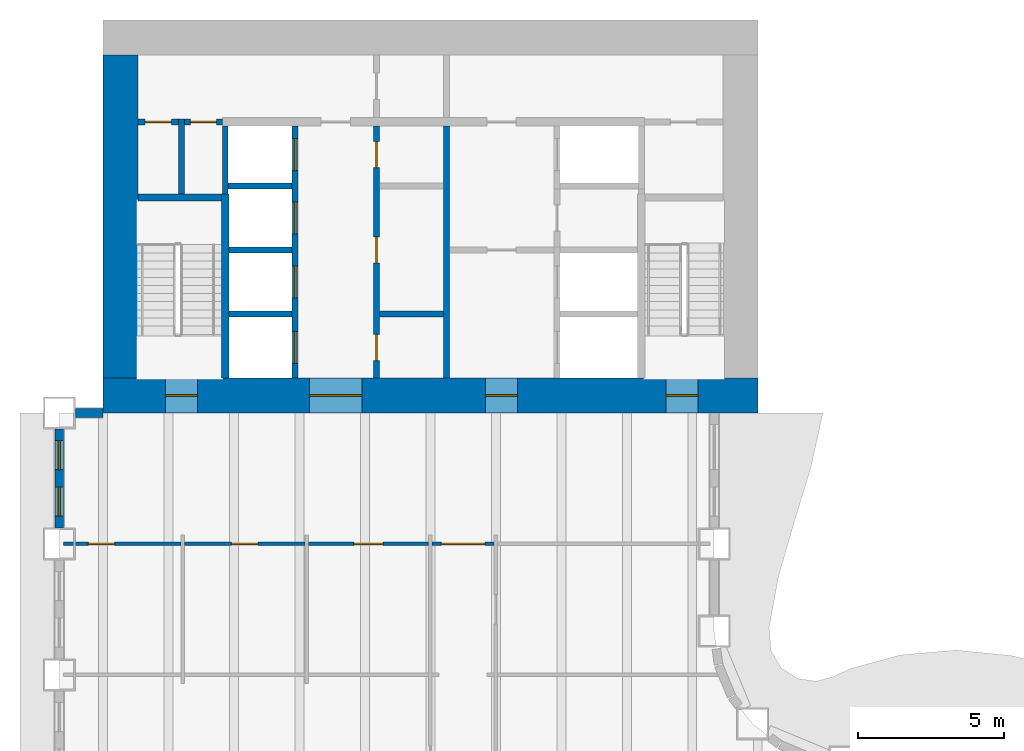
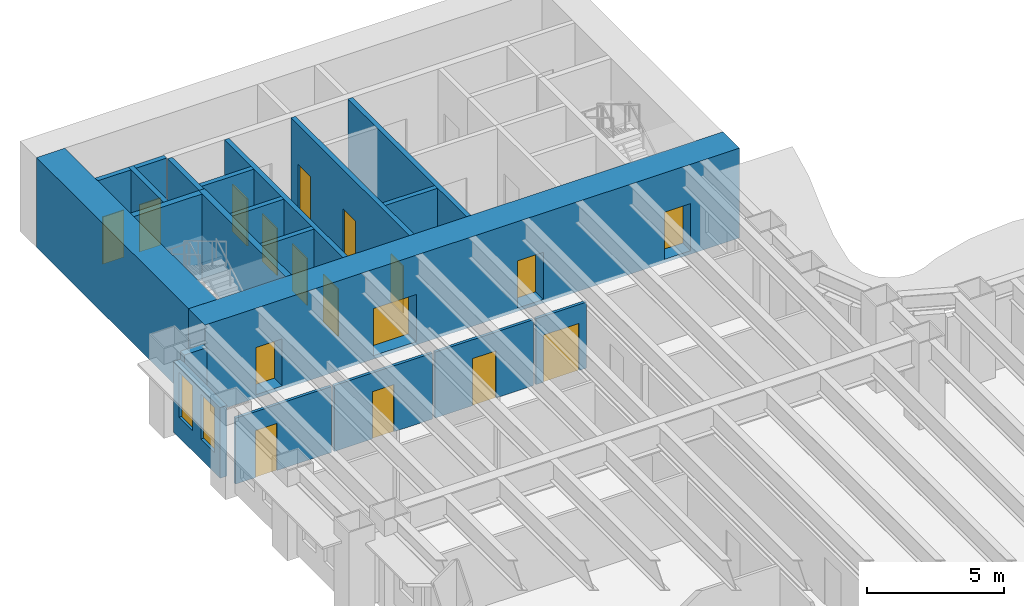
# One storey, part 8 of 17: 21 walls, 17 doors, 2 windows, 19 openings.
"""IFC4 building model written with IfcOpenShell, lengths in metres."""

from ifc_helpers import new_model, si_unit, direction, frame, frame_2d, origin, place, context, subcontext, project, spatial, rectangle, extrude, material, layer, layer_set, type_object, element, fill, save


model = new_model("IFC4")

# Units and contexts
model_context = context("Model", 3, precision=1e-05, world=origin(), true_north=direction((0.0, 1.0)))
body_context = subcontext(model_context, "Body", "Model", "MODEL_VIEW")
ifc_project = project(units=[si_unit("LENGTHUNIT", "METRE"), si_unit("AREAUNIT", "SQUARE_METRE"), si_unit("VOLUMEUNIT", "CUBIC_METRE"), si_unit("PLANEANGLEUNIT", "RADIAN"), si_unit("MASSUNIT", "GRAM", prefix="KILO")], contexts=[model_context])

# Site, building, storey
site_placement = place(None, origin())
site = spatial("IfcSite", under=ifc_project, at=site_placement, CompositionType="ELEMENT")
building_placement = place(site_placement, origin())
building = spatial("IfcBuilding", under=site, at=building_placement, Name="Sennacour Bend Tower", CompositionType="ELEMENT")
storey_placement = place(building_placement, frame((0.0, 0.0, 49.0)))
storey = spatial("IfcBuildingStorey", under=building, at=storey_placement, Name="L10", CompositionType="ELEMENT", Elevation=49.0)

# Wall, openings, doors
ifc_material_1 = material(Name="Concrete C80/95", Category="concrete")
ifc_layer_1 = layer(ifc_material_1, 1.199951171875, Name="Concrete C80/95", Category="concrete")
ifc_layer_set_1 = layer_set([ifc_layer_1], Name="Concrete C80/95")
wall_type_1 = type_object("IfcWallType", Name="Core wall 1200 C80/95", PredefinedType="SHEAR", material=ifc_layer_set_1)
wall_1_placement = place(storey_placement, frame((0.0, 36.60009765625, -0.14990234375), z_axis=(0.0, 0.0, 1.0), x_axis=(1.0, 0.0, 0.0)))
wall_1 = element("IfcWall", 1, at=wall_1_placement, inside=storey, type_object=wall_type_1, Name="Core B wall L10 S", PredefinedType="SHEAR", context=body_context, shape_type="SweptSolid", body=[
    extrude(rectangle(XDim=22.5, YDim=1.199951171875, at=frame_2d((11.25, 0.0))), origin(), (0.0, 0.0, 1.0), 4.0),
])
opening_1_placement = place(wall_1_placement, frame((7.10009765625, 0.0, 0.14990234375)))
opening_1 = element("IfcOpeningElement", 2, at=opening_1_placement, cuts=wall_1, Name="Opening CD", PredefinedType="OPENING", context=body_context, shape_type="SweptSolid", body=[
    extrude(rectangle(XDim=1.800048828125, YDim=2.10009765625, at=frame_2d((0.89990234375, 1.050048828125))), frame((0.0, 0.60986328125, 0.0), z_axis=(0.0, -1.0, 0.0), x_axis=(1.0, 0.0, 0.0)), (0.0, 0.0, 1.0), 1.219970703125),
])
opening_2_placement = place(wall_1_placement, frame((13.14990234375, 0.0, 0.14990234375)))
opening_2 = element("IfcOpeningElement", 3, at=opening_2_placement, cuts=wall_1, Name="Opening FD", PredefinedType="OPENING", context=body_context, shape_type="SweptSolid", body=[
    extrude(rectangle(XDim=1.10009765625, YDim=2.10009765625, at=frame_2d((0.550048828125, 1.050048828125))), frame((0.0, 0.60986328125, 0.0), z_axis=(0.0, -1.0, 0.0), x_axis=(1.0, 0.0, 0.0)), (0.0, 0.0, 1.0), 1.219970703125),
])
opening_3_placement = place(wall_1_placement, frame((2.14990234375, 0.0, 0.14990234375)))
opening_3 = element("IfcOpeningElement", 4, at=opening_3_placement, cuts=wall_1, Name="Opening SD", PredefinedType="OPENING", context=body_context, shape_type="SweptSolid", body=[
    extrude(rectangle(XDim=1.10009765625, YDim=2.10009765625, at=frame_2d((0.550048828125, 1.050048828125))), frame((0.0, 0.60986328125, 0.0), z_axis=(0.0, -1.0, 0.0), x_axis=(1.0, 0.0, 0.0)), (0.0, 0.0, 1.0), 1.219970703125),
])
opening_4_placement = place(wall_1_placement, frame((19.35009765625, 0.0, 0.14990234375)))
opening_4 = element("IfcOpeningElement", 5, at=opening_4_placement, cuts=wall_1, Name="Opening SD", PredefinedType="OPENING", context=body_context, shape_type="SweptSolid", body=[
    extrude(rectangle(XDim=1.10009765625, YDim=2.10009765625, at=frame_2d((0.550048828125, 1.050048828125))), frame((0.0, 0.60986328125, 0.0), z_axis=(0.0, -1.0, 0.0), x_axis=(1.0, 0.0, 0.0)), (0.0, 0.0, 1.0), 1.219970703125),
])
ifc_material_2 = material(Name="Painted steel", Category="steel")
door_type_1 = type_object("IfcDoorType", Name="DR-FFL-1100", OperationType="NOTDEFINED", PredefinedType="DOOR", material=ifc_material_2)
door_1_placement = place(opening_2_placement, origin())
door_1 = element("IfcDoor", 6, at=door_1_placement, inside=storey, type_object=door_type_1, Name="Door", OperationType="SINGLE_SWING_RIGHT", OverallHeight=2.10009765625, OverallWidth=1.10009765625, PredefinedType="DOOR", context=body_context, shape_type="SweptSolid", body=[
    extrude(rectangle(XDim=1.10009765625, YDim=2.10009765625, at=frame_2d((0.550048828125, 1.050048828125))), frame((0.0, 0.02490234375, 0.0), z_axis=(0.0, -1.0, 0.0), x_axis=(1.0, 0.0, 0.0)), (0.0, 0.0, 1.0), 0.050048828125),
])
fill(opening_2, door_1)
door_type_2 = type_object("IfcDoorType", Name="DR-LOBBY-1800", OperationType="NOTDEFINED", PredefinedType="DOOR", material=ifc_material_2)
door_2_placement = place(opening_1_placement, origin())
door_2 = element("IfcDoor", 7, at=door_2_placement, inside=storey, type_object=door_type_2, Name="Door", OperationType="DOUBLE_DOOR_SINGLE_SWING", OverallHeight=2.10009765625, OverallWidth=1.800048828125, PredefinedType="DOOR", context=body_context, shape_type="SweptSolid", body=[
    extrude(rectangle(XDim=1.800048828125, YDim=2.10009765625, at=frame_2d((0.89990234375, 1.050048828125))), frame((0.0, 0.02490234375, 0.0), z_axis=(0.0, -1.0, 0.0), x_axis=(1.0, 0.0, 0.0)), (0.0, 0.0, 1.0), 0.050048828125),
])
fill(opening_1, door_2)
door_type_3 = type_object("IfcDoorType", Name="DR-STAIR-1100", OperationType="NOTDEFINED", PredefinedType="DOOR", material=ifc_material_2)
door_3_placement = place(opening_3_placement, origin())
door_3 = element("IfcDoor", 8, at=door_3_placement, inside=storey, type_object=door_type_3, Name="Door", OperationType="SINGLE_SWING_LEFT", OverallHeight=2.10009765625, OverallWidth=1.10009765625, PredefinedType="DOOR", context=body_context, shape_type="SweptSolid", body=[
    extrude(rectangle(XDim=1.10009765625, YDim=2.10009765625, at=frame_2d((0.550048828125, 1.050048828125))), frame((0.0, 0.02490234375, 0.0), z_axis=(0.0, -1.0, 0.0), x_axis=(1.0, 0.0, 0.0)), (0.0, 0.0, 1.0), 0.050048828125),
])
fill(opening_3, door_3)
door_4_placement = place(opening_4_placement, origin())
door_4 = element("IfcDoor", 9, at=door_4_placement, inside=storey, type_object=door_type_3, Name="Door", OperationType="SINGLE_SWING_RIGHT", OverallHeight=2.10009765625, OverallWidth=1.10009765625, PredefinedType="DOOR", context=body_context, shape_type="SweptSolid", body=[
    extrude(rectangle(XDim=1.10009765625, YDim=2.10009765625, at=frame_2d((0.550048828125, 1.050048828125))), frame((0.0, 0.02490234375, 0.0), z_axis=(0.0, -1.0, 0.0), x_axis=(1.0, 0.0, 0.0)), (0.0, 0.0, 1.0), 0.050048828125),
])
fill(opening_4, door_4)

# Wall
wall_2_placement = place(storey_placement, frame((0.60009765625, 37.199951171875, -0.14990234375), z_axis=(0.0, 0.0, 1.0), x_axis=(0.0, 1.0, 0.0)))
element("IfcWall", 10, at=wall_2_placement, inside=storey, type_object=wall_type_1, Name="Core B wall L10 W", PredefinedType="SHEAR", context=body_context, shape_type="SweptSolid", body=[
    extrude(rectangle(XDim=11.10009765625, YDim=1.199951171875, at=frame_2d((5.550048828125, 0.0))), origin(), (0.0, 0.0, 1.0), 4.0),
])

# Wall, opening, door
ifc_material_3 = material(Name="Plasterboard partition on steel studs", Category="steel")
ifc_layer_2 = layer(ifc_material_3, 0.1201171875, Name="Plasterboard partition on steel studs", Category="steel")
ifc_layer_set_2 = layer_set([ifc_layer_2], Name="Plasterboard partition on steel studs")
wall_type_2 = type_object("IfcWallType", Name="Partition 120", PredefinedType="PARTITIONING", material=ifc_layer_set_2)
wall_3_placement = place(storey_placement, frame((-1.35009765625, 31.5, 0.0), z_axis=(0.0, 0.0, 1.0), x_axis=(1.0, 0.0, 0.0)))
wall_3 = element("IfcWall", 11, at=wall_3_placement, inside=storey, type_object=wall_type_2, Name="P-L10-W077aa", PredefinedType="PARTITIONING", context=body_context, shape_type="SweptSolid", body=[
    extrude(rectangle(XDim=4.0400390625, YDim=0.1201171875, at=frame_2d((2.02001953125, 0.0))), origin(), (0.0, 0.0, 1.0), 2.93798828125),
])
opening_5_placement = place(wall_3_placement, frame((0.85009765625, 0.0, 0.0)))
opening_5 = element("IfcOpeningElement", 12, at=opening_5_placement, cuts=wall_3, Name="Opening WD", PredefinedType="OPENING", context=body_context, shape_type="SweptSolid", body=[
    extrude(rectangle(XDim=0.89990234375, YDim=2.10009765625, at=frame_2d((0.449951171875, 1.050048828125))), frame((0.0, 0.070068359375, 0.0), z_axis=(0.0, -1.0, 0.0), x_axis=(1.0, 0.0, 0.0)), (0.0, 0.0, 1.0), 0.14013671875),
])
ifc_material_4 = material(Name="Timber", Category="wood")
door_type_4 = type_object("IfcDoorType", Name="DR-WC-900", OperationType="NOTDEFINED", PredefinedType="DOOR", material=ifc_material_4)
door_5_placement = place(opening_5_placement, origin())
door_5 = element("IfcDoor", 13, at=door_5_placement, inside=storey, type_object=door_type_4, Name="Door", OperationType="SINGLE_SWING_LEFT", OverallHeight=2.10009765625, OverallWidth=0.89990234375, PredefinedType="DOOR", context=body_context, shape_type="SweptSolid", body=[
    extrude(rectangle(XDim=0.89990234375, YDim=2.10009765625, at=frame_2d((0.449951171875, 1.050048828125))), frame((0.0, 0.02490234375, 0.0), z_axis=(0.0, -1.0, 0.0), x_axis=(1.0, 0.0, 0.0)), (0.0, 0.0, 1.0), 0.050048828125),
])
fill(opening_5, door_5)

wall_4_placement = place(storey_placement, frame((2.81005859375, 31.5, 0.0), z_axis=(0.0, 0.0, 1.0), x_axis=(1.0, 0.0, 0.0)))
wall_4 = element("IfcWall", 14, at=wall_4_placement, inside=storey, type_object=wall_type_2, Name="P-L10-W077ab", PredefinedType="PARTITIONING", context=body_context, shape_type="SweptSolid", body=[
    extrude(rectangle(XDim=4.1298828125, YDim=0.1201171875, at=frame_2d((2.06494140625, 0.0))), origin(), (0.0, 0.0, 1.0), 2.93798828125),
])
opening_6_placement = place(wall_4_placement, frame((1.614990234375, 0.0, 0.0)))
opening_6 = element("IfcOpeningElement", 15, at=opening_6_placement, cuts=wall_4, Name="Opening WD", PredefinedType="OPENING", context=body_context, shape_type="SweptSolid", body=[
    extrude(rectangle(XDim=0.89990234375, YDim=2.10009765625, at=frame_2d((0.449951171875, 1.050048828125))), frame((0.0, 0.070068359375, 0.0), z_axis=(0.0, -1.0, 0.0), x_axis=(1.0, 0.0, 0.0)), (0.0, 0.0, 1.0), 0.14013671875),
])
door_6_placement = place(opening_6_placement, origin())
door_6 = element("IfcDoor", 16, at=door_6_placement, inside=storey, type_object=door_type_4, Name="Door", OperationType="SINGLE_SWING_LEFT", OverallHeight=2.10009765625, OverallWidth=0.89990234375, PredefinedType="DOOR", context=body_context, shape_type="SweptSolid", body=[
    extrude(rectangle(XDim=0.89990234375, YDim=2.10009765625, at=frame_2d((0.449951171875, 1.050048828125))), frame((0.0, 0.02490234375, 0.0), z_axis=(0.0, -1.0, 0.0), x_axis=(1.0, 0.0, 0.0)), (0.0, 0.0, 1.0), 0.050048828125),
])
fill(opening_6, door_6)

wall_5_placement = place(storey_placement, frame((7.06005859375, 31.5, 0.0), z_axis=(0.0, 0.0, 1.0), x_axis=(1.0, 0.0, 0.0)))
wall_5 = element("IfcWall", 17, at=wall_5_placement, inside=storey, type_object=wall_type_2, Name="P-L10-W077ac", PredefinedType="PARTITIONING", context=body_context, shape_type="SweptSolid", body=[
    extrude(rectangle(XDim=4.1298828125, YDim=0.1201171875, at=frame_2d((2.06494140625, 0.0))), origin(), (0.0, 0.0, 1.0), 2.93798828125),
])
opening_7_placement = place(wall_5_placement, frame((1.56494140625, 0.0, 0.0)))
opening_7 = element("IfcOpeningElement", 18, at=opening_7_placement, cuts=wall_5, Name="Opening AD", PredefinedType="OPENING", context=body_context, shape_type="SweptSolid", body=[
    extrude(rectangle(XDim=1.0, YDim=2.10009765625, at=frame_2d((0.5, 1.050048828125))), frame((0.0, 0.070068359375, 0.0), z_axis=(0.0, -1.0, 0.0), x_axis=(1.0, 0.0, 0.0)), (0.0, 0.0, 1.0), 0.14013671875),
])
door_type_5 = type_object("IfcDoorType", Name="DR-ACC-WC-1000", OperationType="NOTDEFINED", PredefinedType="DOOR", material=ifc_material_4)
door_7_placement = place(opening_7_placement, origin())
door_7 = element("IfcDoor", 19, at=door_7_placement, inside=storey, type_object=door_type_5, Name="Door", OperationType="SINGLE_SWING_LEFT", OverallHeight=2.10009765625, OverallWidth=1.0, PredefinedType="DOOR", context=body_context, shape_type="SweptSolid", body=[
    extrude(rectangle(XDim=1.0, YDim=2.10009765625, at=frame_2d((0.5, 1.050048828125))), frame((0.0, 0.02490234375, 0.0), z_axis=(0.0, -1.0, 0.0), x_axis=(1.0, 0.0, 0.0)), (0.0, 0.0, 1.0), 0.050048828125),
])
fill(opening_7, door_7)

ifc_layer_3 = layer(ifc_material_3, 0.1201171875, Name="Plasterboard partition on steel studs", Category="steel")
ifc_layer_set_3 = layer_set([ifc_layer_3], Name="Plasterboard partition on steel studs")
wall_type_3 = type_object("IfcWallType", Name="Partition 120 EI 30", PredefinedType="PARTITIONING", material=ifc_layer_set_3)
wall_6_placement = place(storey_placement, frame((11.31005859375, 31.5, 0.0), z_axis=(0.0, 0.0, 1.0), x_axis=(1.0, 0.0, 0.0)))
wall_6 = element("IfcWall", 20, at=wall_6_placement, inside=storey, type_object=wall_type_3, Name="P-L10-W077ad", PredefinedType="PARTITIONING", context=body_context, shape_type="SweptSolid", body=[
    extrude(rectangle(XDim=2.1298828125, YDim=0.1201171875, at=frame_2d((1.06494140625, 0.0))), origin(), (0.0, 0.0, 1.0), 2.93798828125),
])
opening_8_placement = place(wall_6_placement, frame((0.31494140625, 0.0, 0.0)))
opening_8 = element("IfcOpeningElement", 21, at=opening_8_placement, cuts=wall_6, Name="Opening KD", PredefinedType="OPENING", context=body_context, shape_type="SweptSolid", body=[
    extrude(rectangle(XDim=1.5, YDim=2.10009765625, at=frame_2d((0.75, 1.050048828125))), frame((0.0, 0.070068359375, 0.0), z_axis=(0.0, -1.0, 0.0), x_axis=(1.0, 0.0, 0.0)), (0.0, 0.0, 1.0), 0.14013671875),
])
door_type_6 = type_object("IfcDoorType", Name="DR-CORRIDOR-1500", OperationType="NOTDEFINED", PredefinedType="DOOR", material=ifc_material_2)
door_8_placement = place(opening_8_placement, origin())
door_8 = element("IfcDoor", 22, at=door_8_placement, inside=storey, type_object=door_type_6, Name="Door", OperationType="SINGLE_SWING_LEFT", OverallHeight=2.10009765625, OverallWidth=1.5, PredefinedType="DOOR", context=body_context, shape_type="SweptSolid", body=[
    extrude(rectangle(XDim=1.5, YDim=2.10009765625, at=frame_2d((0.75, 1.050048828125))), frame((0.0, 0.02490234375, 0.0), z_axis=(0.0, -1.0, 0.0), x_axis=(1.0, 0.0, 0.0)), (0.0, 0.0, 1.0), 0.050048828125),
])
fill(opening_8, door_8)

# Wall
ifc_material_5 = material(Name="Fire-rated plasterboard partition on steel studs", Category="steel")
ifc_layer_4 = layer(ifc_material_5, 0.199951171875, Name="Fire-rated plasterboard partition on steel studs", Category="steel")
ifc_layer_set_4 = layer_set([ifc_layer_4], Name="Fire-rated plasterboard partition on steel studs")
wall_type_4 = type_object("IfcWallType", Name="Rated partition 200", PredefinedType="PARTITIONING", material=ifc_layer_set_4)
wall_7_placement = place(storey_placement, frame((2.699951171875, 43.52490234375, 0.0), z_axis=(0.0, 0.0, 1.0), x_axis=(0.0, 1.0, 0.0)))
element("IfcWall", 23, at=wall_7_placement, inside=storey, type_object=wall_type_4, Name="P-L10-W004", PredefinedType="PARTITIONING", context=body_context, shape_type="SweptSolid", body=[
    extrude(rectangle(XDim=2.5751953125, YDim=0.199951171875, at=frame_2d((1.28759765625, 0.0))), origin(), (0.0, 0.0, 1.0), 3.85009765625),
])

# Wall, openings, doors
wall_8_placement = place(storey_placement, frame((9.39990234375, 37.199951171875, 0.0), z_axis=(0.0, 0.0, 1.0), x_axis=(0.0, 1.0, 0.0)))
wall_8 = element("IfcWall", 24, at=wall_8_placement, inside=storey, type_object=wall_type_4, Name="P-L10-W013a", PredefinedType="PARTITIONING", context=body_context, shape_type="SweptSolid", body=[
    extrude(rectangle(XDim=8.650146484375, YDim=0.199951171875, at=frame_2d((4.3251953125, 0.0))), origin(), (0.0, 0.0, 1.0), 3.85009765625),
])
opening_9_placement = place(wall_8_placement, frame((0.60009765625, 0.0, 0.0)))
opening_9 = element("IfcOpeningElement", 25, at=opening_9_placement, cuts=wall_8, Name="Opening SV", PredefinedType="OPENING", context=body_context, shape_type="SweptSolid", body=[
    extrude(rectangle(XDim=0.89990234375, YDim=2.10009765625, at=frame_2d((0.449951171875, 1.050048828125))), frame((0.0, 0.10986328125, 0.0), z_axis=(0.0, -1.0, 0.0), x_axis=(1.0, 0.0, 0.0)), (0.0, 0.0, 1.0), 0.219970703125),
])
opening_10_placement = place(wall_8_placement, frame((3.949951171875, 0.0, 0.0)))
opening_10 = element("IfcOpeningElement", 26, at=opening_10_placement, cuts=wall_8, Name="Opening WD", PredefinedType="OPENING", context=body_context, shape_type="SweptSolid", body=[
    extrude(rectangle(XDim=0.89990234375, YDim=2.10009765625, at=frame_2d((0.449951171875, 1.050048828125))), frame((0.0, 0.10986328125, 0.0), z_axis=(0.0, -1.0, 0.0), x_axis=(1.0, 0.0, 0.0)), (0.0, 0.0, 1.0), 0.219970703125),
])
opening_11_placement = place(wall_8_placement, frame((7.22509765625, 0.0, 0.0)))
opening_11 = element("IfcOpeningElement", 27, at=opening_11_placement, cuts=wall_8, Name="Opening SV", PredefinedType="OPENING", context=body_context, shape_type="SweptSolid", body=[
    extrude(rectangle(XDim=0.89990234375, YDim=2.10009765625, at=frame_2d((0.449951171875, 1.050048828125))), frame((0.0, 0.10986328125, 0.0), z_axis=(0.0, -1.0, 0.0), x_axis=(1.0, 0.0, 0.0)), (0.0, 0.0, 1.0), 0.219970703125),
])
door_type_7 = type_object("IfcDoorType", Name="DR-SERVICE-900", OperationType="NOTDEFINED", PredefinedType="DOOR", material=ifc_material_2)
door_9_placement = place(opening_9_placement, origin())
door_9 = element("IfcDoor", 28, at=door_9_placement, inside=storey, type_object=door_type_7, Name="Door", OperationType="SINGLE_SWING_LEFT", OverallHeight=2.10009765625, OverallWidth=0.89990234375, PredefinedType="DOOR", context=body_context, shape_type="SweptSolid", body=[
    extrude(rectangle(XDim=0.89990234375, YDim=2.10009765625, at=frame_2d((0.449951171875, 1.050048828125))), frame((0.0, 0.02490234375, 0.0), z_axis=(0.0, -1.0, 0.0), x_axis=(1.0, 0.0, 0.0)), (0.0, 0.0, 1.0), 0.050048828125),
])
fill(opening_9, door_9)
door_10_placement = place(opening_11_placement, origin())
door_10 = element("IfcDoor", 29, at=door_10_placement, inside=storey, type_object=door_type_7, Name="Door", OperationType="SINGLE_SWING_RIGHT", OverallHeight=2.10009765625, OverallWidth=0.89990234375, PredefinedType="DOOR", context=body_context, shape_type="SweptSolid", body=[
    extrude(rectangle(XDim=0.89990234375, YDim=2.10009765625, at=frame_2d((0.449951171875, 1.050048828125))), frame((0.0, 0.02490234375, 0.0), z_axis=(0.0, -1.0, 0.0), x_axis=(1.0, 0.0, 0.0)), (0.0, 0.0, 1.0), 0.050048828125),
])
fill(opening_11, door_10)
door_11_placement = place(opening_10_placement, origin())
door_11 = element("IfcDoor", 30, at=door_11_placement, inside=storey, type_object=door_type_4, Name="Door", OperationType="SINGLE_SWING_RIGHT", OverallHeight=2.10009765625, OverallWidth=0.89990234375, PredefinedType="DOOR", context=body_context, shape_type="SweptSolid", body=[
    extrude(rectangle(XDim=0.89990234375, YDim=2.10009765625, at=frame_2d((0.449951171875, 1.050048828125))), frame((0.0, 0.02490234375, 0.0), z_axis=(0.0, -1.0, 0.0), x_axis=(1.0, 0.0, 0.0)), (0.0, 0.0, 1.0), 0.050048828125),
])
fill(opening_10, door_11)

# Walls
wall_9_placement = place(storey_placement, frame((11.800048828125, 37.199951171875, 0.0), z_axis=(0.0, 0.0, 1.0), x_axis=(0.0, 1.0, 0.0)))
element("IfcWall", 31, at=wall_9_placement, inside=storey, type_object=wall_type_4, Name="P-L10-W015a", PredefinedType="PARTITIONING", context=body_context, shape_type="SweptSolid", body=[
    extrude(rectangle(XDim=8.650146484375, YDim=0.199951171875, at=frame_2d((4.3251953125, 0.0))), origin(), (0.0, 0.0, 1.0), 3.85009765625),
])
wall_10_placement = place(storey_placement, frame((9.5, 39.39990234375, 0.0), z_axis=(0.0, 0.0, 1.0), x_axis=(1.0, 0.0, 0.0)))
element("IfcWall", 32, at=wall_10_placement, inside=storey, type_object=wall_type_4, Name="P-L10-W080", PredefinedType="PARTITIONING", context=body_context, shape_type="SweptSolid", body=[
    extrude(rectangle(XDim=2.199951171875, YDim=0.199951171875, at=frame_2d((1.10009765625, 0.0))), origin(), (0.0, 0.0, 1.0), 3.85009765625),
])

# Wall, opening, door
wall_11_placement = place(storey_placement, frame((1.199951171875, 46.0, 0.0), z_axis=(0.0, 0.0, 1.0), x_axis=(1.0, 0.0, 0.0)))
wall_11 = element("IfcWall", 33, at=wall_11_placement, inside=storey, type_object=wall_type_4, Name="P-L10-W090a", PredefinedType="PARTITIONING", context=body_context, shape_type="SweptSolid", body=[
    extrude(rectangle(XDim=1.400146484375, YDim=0.199951171875, at=frame_2d((0.7001953125, 0.0))), origin(), (0.0, 0.0, 1.0), 3.85009765625),
])
opening_12_placement = place(wall_11_placement, frame((0.25, 0.0, 0.0)))
opening_12 = element("IfcOpeningElement", 34, at=opening_12_placement, cuts=wall_11, Name="Opening SV", PredefinedType="OPENING", context=body_context, shape_type="SweptSolid", body=[
    extrude(rectangle(XDim=0.89990234375, YDim=2.10009765625, at=frame_2d((0.449951171875, 1.050048828125))), frame((0.0, 0.10986328125, 0.0), z_axis=(0.0, -1.0, 0.0), x_axis=(1.0, 0.0, 0.0)), (0.0, 0.0, 1.0), 0.219970703125),
])
door_12_placement = place(opening_12_placement, origin())
door_12 = element("IfcDoor", 35, at=door_12_placement, inside=storey, type_object=door_type_7, Name="Door", OperationType="SINGLE_SWING_LEFT", OverallHeight=2.10009765625, OverallWidth=0.89990234375, PredefinedType="DOOR", context=body_context, shape_type="SweptSolid", body=[
    extrude(rectangle(XDim=0.89990234375, YDim=2.10009765625, at=frame_2d((0.449951171875, 1.050048828125))), frame((0.0, 0.02490234375, 0.0), z_axis=(0.0, -1.0, 0.0), x_axis=(1.0, 0.0, 0.0)), (0.0, 0.0, 1.0), 0.050048828125),
])
fill(opening_12, door_12)

wall_12_placement = place(storey_placement, frame((2.800048828125, 46.0, 0.0), z_axis=(0.0, 0.0, 1.0), x_axis=(1.0, 0.0, 0.0)))
wall_12 = element("IfcWall", 36, at=wall_12_placement, inside=storey, type_object=wall_type_4, Name="P-L10-W090b", PredefinedType="PARTITIONING", context=body_context, shape_type="SweptSolid", body=[
    extrude(rectangle(XDim=1.300048828125, YDim=0.199951171875, at=frame_2d((0.64990234375, 0.0))), origin(), (0.0, 0.0, 1.0), 3.85009765625),
])
opening_13_placement = place(wall_12_placement, frame((0.199951171875, 0.0, 0.0)))
opening_13 = element("IfcOpeningElement", 37, at=opening_13_placement, cuts=wall_12, Name="Opening SV", PredefinedType="OPENING", context=body_context, shape_type="SweptSolid", body=[
    extrude(rectangle(XDim=0.89990234375, YDim=2.10009765625, at=frame_2d((0.449951171875, 1.050048828125))), frame((0.0, 0.10986328125, 0.0), z_axis=(0.0, -1.0, 0.0), x_axis=(1.0, 0.0, 0.0)), (0.0, 0.0, 1.0), 0.219970703125),
])
door_13_placement = place(opening_13_placement, origin())
door_13 = element("IfcDoor", 38, at=door_13_placement, inside=storey, type_object=door_type_7, Name="Door", OperationType="SINGLE_SWING_LEFT", OverallHeight=2.10009765625, OverallWidth=0.89990234375, PredefinedType="DOOR", context=body_context, shape_type="SweptSolid", body=[
    extrude(rectangle(XDim=0.89990234375, YDim=2.10009765625, at=frame_2d((0.449951171875, 1.050048828125))), frame((0.0, 0.02490234375, 0.0), z_axis=(0.0, -1.0, 0.0), x_axis=(1.0, 0.0, 0.0)), (0.0, 0.0, 1.0), 0.050048828125),
])
fill(opening_13, door_13)

# Wall
ifc_material_6 = material(Name="Warm limestone cladding", Category="masonry")
ifc_layer_5 = layer(ifc_material_6, 0.050048828125, Name="Warm limestone cladding", Category="masonry")
ifc_material_7 = material(Name="Precast concrete C40/50", Category="concrete")
ifc_layer_6 = layer(ifc_material_7, 0.25, Name="Precast concrete C40/50", Category="concrete")
ifc_layer_set_5 = layer_set([ifc_layer_5, ifc_layer_6], Name="Precast concrete C40/50 with limestone cladding")
wall_type_5 = type_object("IfcWallType", Name="STONE-CLAD PRECAST SPANDREL 300", PredefinedType="STANDARD", material=ifc_layer_set_5)
wall_13_placement = place(storey_placement, frame((0.0, 36.0, 0.0), z_axis=(0.0, 0.0, 1.0), x_axis=(-1.0, 0.0, 0.0)))
element("IfcWall", 39, at=wall_13_placement, inside=storey, type_object=wall_type_5, Name="Stone spandrel and pier wall L10 20.00", PredefinedType="STANDARD", context=body_context, shape_type="SweptSolid", body=[
    extrude(rectangle(XDim=0.949951171875, YDim=0.300048828125, at=frame_2d((0.47509765625, 0.0))), origin(), (0.0, 0.0, 1.0), 2.93798828125),
])

# Wall, openings, windows
wall_14_placement = place(storey_placement, frame((-1.5, 35.449951171875, 0.0), z_axis=(0.0, 0.0, 1.0), x_axis=(0.0, -1.0, 0.0)))
wall_14 = element("IfcWall", 40, at=wall_14_placement, inside=storey, type_object=wall_type_5, Name="Stone spandrel and pier wall L10 21.00", PredefinedType="STANDARD", context=body_context, shape_type="SweptSolid", body=[
    extrude(rectangle(XDim=3.39990234375, YDim=0.300048828125, at=frame_2d((1.699951171875, 0.0))), origin(), (0.0, 0.0, 1.0), 3.14404296875),
])
opening_14_placement = place(wall_14_placement, frame((0.39990234375, 0.0, 0.89990234375)))
opening_14 = element("IfcOpeningElement", 41, at=opening_14_placement, cuts=wall_14, Name="Opening W8", PredefinedType="OPENING", context=body_context, shape_type="SweptSolid", body=[
    extrude(rectangle(XDim=1.0, YDim=2.0, at=frame_2d((0.5, 1.0))), frame((0.0, 0.16015625, 0.0), z_axis=(0.0, -1.0, 0.0), x_axis=(1.0, 0.0, 0.0)), (0.0, 0.0, 1.0), 0.320068359375),
])
opening_15_placement = place(wall_14_placement, frame((2.0, 0.0, 0.89990234375)))
opening_15 = element("IfcOpeningElement", 42, at=opening_15_placement, cuts=wall_14, Name="Opening W8", PredefinedType="OPENING", context=body_context, shape_type="SweptSolid", body=[
    extrude(rectangle(XDim=1.0, YDim=2.0, at=frame_2d((0.5, 1.0))), frame((0.0, 0.16015625, 0.0), z_axis=(0.0, -1.0, 0.0), x_axis=(1.0, 0.0, 0.0)), (0.0, 0.0, 1.0), 0.320068359375),
])
ifc_material_8 = material(Name="Clear low-emissivity glass", Category="glass")
window_type = type_object("IfcWindowType", Name="WIN-RIBBON-1000x2000", PartitioningType="SINGLE_PANEL", PredefinedType="WINDOW", material=ifc_material_8)
window_1_placement = place(opening_14_placement, origin())
window_1 = element("IfcWindow", 43, at=window_1_placement, inside=storey, type_object=window_type, Name="Ribbon window L10 21.00.0", OverallHeight=2.0, OverallWidth=1.0, PartitioningType="SINGLE_PANEL", PredefinedType="WINDOW", context=body_context, shape_type="SweptSolid", body=[
    extrude(rectangle(XDim=1.0, YDim=2.0, at=frame_2d((0.5, 1.0))), frame((0.0, 0.030029296875, 0.0), z_axis=(0.0, -1.0, 0.0), x_axis=(1.0, 0.0, 0.0)), (0.0, 0.0, 1.0), 0.06005859375),
])
fill(opening_14, window_1)
window_2_placement = place(opening_15_placement, origin())
window_2 = element("IfcWindow", 44, at=window_2_placement, inside=storey, type_object=window_type, Name="Ribbon window L10 21.00.1", OverallHeight=2.0, OverallWidth=1.0, PartitioningType="SINGLE_PANEL", PredefinedType="WINDOW", context=body_context, shape_type="SweptSolid", body=[
    extrude(rectangle(XDim=1.0, YDim=2.0, at=frame_2d((0.5, 1.0))), frame((0.0, 0.030029296875, 0.0), z_axis=(0.0, -1.0, 0.0), x_axis=(1.0, 0.0, 0.0)), (0.0, 0.0, 1.0), 0.06005859375),
])
fill(opening_15, window_2)

# Wall
ifc_material_9 = material(Name="Concrete C50/60", Category="concrete")
ifc_layer_7 = layer(ifc_material_9, 0.199951171875, Name="Concrete C50/60", Category="concrete")
ifc_layer_set_6 = layer_set([ifc_layer_7], Name="Concrete C50/60")
wall_type_6 = type_object("IfcWallType", Name="Shaft wall 200", PredefinedType="SOLIDWALL", material=ifc_layer_set_6)
wall_15_placement = place(storey_placement, frame((4.199951171875, 43.52490234375, 0.0), z_axis=(0.0, 0.0, 1.0), x_axis=(0.0, 1.0, 0.0)))
element("IfcWall", 45, at=wall_15_placement, inside=storey, type_object=wall_type_6, Name="P-L10-W007", PredefinedType="SOLIDWALL", context=body_context, shape_type="SweptSolid", body=[
    extrude(rectangle(XDim=2.3251953125, YDim=0.199951171875, at=frame_2d((1.16259765625, 0.0))), origin(), (0.0, 0.0, 1.0), 3.85009765625),
])

# Wall, openings, doors
wall_16_placement = place(storey_placement, frame((6.60009765625, 37.199951171875, 0.0), z_axis=(0.0, 0.0, 1.0), x_axis=(0.0, 1.0, 0.0)))
wall_16 = element("IfcWall", 46, at=wall_16_placement, inside=storey, type_object=wall_type_6, Name="P-L10-W008", PredefinedType="SOLIDWALL", context=body_context, shape_type="SweptSolid", body=[
    extrude(rectangle(XDim=8.650146484375, YDim=0.199951171875, at=frame_2d((4.3251953125, 0.0))), origin(), (0.0, 0.0, 1.0), 3.85009765625),
])
opening_16_placement = place(wall_16_placement, frame((0.5, 0.0, 0.011962890625)))
opening_16 = element("IfcOpeningElement", 47, at=opening_16_placement, cuts=wall_16, Name="Opening LD", PredefinedType="OPENING", context=body_context, shape_type="SweptSolid", body=[
    extrude(rectangle(XDim=1.10009765625, YDim=2.10009765625, at=frame_2d((0.550048828125, 1.050048828125))), frame((0.0, 0.10986328125, 0.0), z_axis=(0.0, -1.0, 0.0), x_axis=(1.0, 0.0, 0.0)), (0.0, 0.0, 1.0), 0.219970703125),
])
opening_17_placement = place(wall_16_placement, frame((2.75, 0.0, 0.011962890625)))
opening_17 = element("IfcOpeningElement", 48, at=opening_17_placement, cuts=wall_16, Name="Opening LD", PredefinedType="OPENING", context=body_context, shape_type="SweptSolid", body=[
    extrude(rectangle(XDim=1.10009765625, YDim=2.10009765625, at=frame_2d((0.550048828125, 1.050048828125))), frame((0.0, 0.10986328125, 0.0), z_axis=(0.0, -1.0, 0.0), x_axis=(1.0, 0.0, 0.0)), (0.0, 0.0, 1.0), 0.219970703125),
])
opening_18_placement = place(wall_16_placement, frame((4.949951171875, 0.0, 0.011962890625)))
opening_18 = element("IfcOpeningElement", 49, at=opening_18_placement, cuts=wall_16, Name="Opening LD", PredefinedType="OPENING", context=body_context, shape_type="SweptSolid", body=[
    extrude(rectangle(XDim=1.10009765625, YDim=2.10009765625, at=frame_2d((0.550048828125, 1.050048828125))), frame((0.0, 0.10986328125, 0.0), z_axis=(0.0, -1.0, 0.0), x_axis=(1.0, 0.0, 0.0)), (0.0, 0.0, 1.0), 0.219970703125),
])
opening_19_placement = place(wall_16_placement, frame((7.125, 0.0, 0.011962890625)))
opening_19 = element("IfcOpeningElement", 50, at=opening_19_placement, cuts=wall_16, Name="Opening LD", PredefinedType="OPENING", context=body_context, shape_type="SweptSolid", body=[
    extrude(rectangle(XDim=1.10009765625, YDim=2.10009765625, at=frame_2d((0.550048828125, 1.050048828125))), frame((0.0, 0.10986328125, 0.0), z_axis=(0.0, -1.0, 0.0), x_axis=(1.0, 0.0, 0.0)), (0.0, 0.0, 1.0), 0.219970703125),
])
ifc_material_10 = material(Name="Stainless steel", Category="steel")
door_type_8 = type_object("IfcDoorType", Name="DR-LANDING-1100", OperationType="NOTDEFINED", PredefinedType="DOOR", material=ifc_material_10)
door_14_placement = place(opening_16_placement, origin())
door_14 = element("IfcDoor", 51, at=door_14_placement, inside=storey, type_object=door_type_8, Name="Lift landing door LB1", OperationType="SLIDING_TO_LEFT", OverallHeight=2.10009765625, OverallWidth=1.10009765625, PredefinedType="DOOR", context=body_context, shape_type="SweptSolid", body=[
    extrude(rectangle(XDim=1.10009765625, YDim=2.10009765625, at=frame_2d((0.550048828125, 1.050048828125))), frame((0.0, 0.02490234375, 0.0), z_axis=(0.0, -1.0, 0.0), x_axis=(1.0, 0.0, 0.0)), (0.0, 0.0, 1.0), 0.050048828125),
])
fill(opening_16, door_14)
door_15_placement = place(opening_17_placement, origin())
door_15 = element("IfcDoor", 52, at=door_15_placement, inside=storey, type_object=door_type_8, Name="Lift landing door LB2", OperationType="SLIDING_TO_RIGHT", OverallHeight=2.10009765625, OverallWidth=1.10009765625, PredefinedType="DOOR", context=body_context, shape_type="SweptSolid", body=[
    extrude(rectangle(XDim=1.10009765625, YDim=2.10009765625, at=frame_2d((0.550048828125, 1.050048828125))), frame((0.0, 0.02490234375, 0.0), z_axis=(0.0, -1.0, 0.0), x_axis=(1.0, 0.0, 0.0)), (0.0, 0.0, 1.0), 0.050048828125),
])
fill(opening_17, door_15)
door_16_placement = place(opening_18_placement, origin())
door_16 = element("IfcDoor", 53, at=door_16_placement, inside=storey, type_object=door_type_8, Name="Lift landing door LB3", OperationType="SLIDING_TO_LEFT", OverallHeight=2.10009765625, OverallWidth=1.10009765625, PredefinedType="DOOR", context=body_context, shape_type="SweptSolid", body=[
    extrude(rectangle(XDim=1.10009765625, YDim=2.10009765625, at=frame_2d((0.550048828125, 1.050048828125))), frame((0.0, 0.02490234375, 0.0), z_axis=(0.0, -1.0, 0.0), x_axis=(1.0, 0.0, 0.0)), (0.0, 0.0, 1.0), 0.050048828125),
])
fill(opening_18, door_16)
door_17_placement = place(opening_19_placement, origin())
door_17 = element("IfcDoor", 54, at=door_17_placement, inside=storey, type_object=door_type_8, Name="Lift landing door LB4", OperationType="SLIDING_TO_RIGHT", OverallHeight=2.10009765625, OverallWidth=1.10009765625, PredefinedType="DOOR", context=body_context, shape_type="SweptSolid", body=[
    extrude(rectangle(XDim=1.10009765625, YDim=2.10009765625, at=frame_2d((0.550048828125, 1.050048828125))), frame((0.0, 0.02490234375, 0.0), z_axis=(0.0, -1.0, 0.0), x_axis=(1.0, 0.0, 0.0)), (0.0, 0.0, 1.0), 0.050048828125),
])
fill(opening_19, door_17)

# Walls
for number, where, z_axis, x_axis, name in (
    (55, (4.324951171875, 39.39990234375, 0.0), (0.0, 0.0, 1.0), (1.0, 0.0, 0.0), "P-L10-W079"),
    (56, (4.324951171875, 41.60009765625, 0.0), (0.0, 0.0, 1.0), (1.0, 0.0, 0.0), "P-L10-W082"),
):
    element("IfcWall", number, at=place(storey_placement, frame(where, z_axis=z_axis, x_axis=x_axis)), inside=storey, type_object=wall_type_6, Name=name, PredefinedType="SOLIDWALL", context=body_context, shape_type="SweptSolid", body=[
        extrude(rectangle(XDim=2.175048828125, YDim=0.199951171875, at=frame_2d((1.08740234375, 0.0))), origin(), (0.0, 0.0, 1.0), 3.85009765625),
    ])
wall_17_placement = place(storey_placement, frame((4.300048828125, 43.800048828125, 0.0), z_axis=(0.0, 0.0, 1.0), x_axis=(1.0, 0.0, 0.0)))
element("IfcWall", 57, at=wall_17_placement, inside=storey, type_object=wall_type_6, Name="P-L10-W087", PredefinedType="SOLIDWALL", context=body_context, shape_type="SweptSolid", body=[
    extrude(rectangle(XDim=2.199951171875, YDim=0.199951171875, at=frame_2d((1.10009765625, 0.0))), origin(), (0.0, 0.0, 1.0), 3.85009765625),
])
ifc_material_11 = material(Name="Concrete C60/75", Category="concrete")
ifc_layer_8 = layer(ifc_material_11, 0.25, Name="Concrete C60/75", Category="concrete")
ifc_layer_set_7 = layer_set([ifc_layer_8], Name="Concrete C60/75")
wall_type_7 = type_object("IfcWallType", Name="Stair wall 250", PredefinedType="SHEAR", material=ifc_layer_set_7)
wall_18_placement = place(storey_placement, frame((4.199951171875, 37.199951171875, 0.0), z_axis=(0.0, 0.0, 1.0), x_axis=(0.0, 1.0, 0.0)))
element("IfcWall", 58, at=wall_18_placement, inside=storey, type_object=wall_type_7, Name="P-L10-W006", PredefinedType="SHEAR", context=body_context, shape_type="SweptSolid", body=[
    extrude(rectangle(XDim=6.324951171875, YDim=0.25, at=frame_2d((3.16259765625, 0.0))), origin(), (0.0, 0.0, 1.0), 3.85009765625),
])
wall_19_placement = place(storey_placement, frame((1.199951171875, 43.39990234375, 0.0), z_axis=(0.0, 0.0, 1.0), x_axis=(1.0, 0.0, 0.0)))
element("IfcWall", 59, at=wall_19_placement, inside=storey, type_object=wall_type_7, Name="P-L10-W085", PredefinedType="SHEAR", context=body_context, shape_type="SweptSolid", body=[
    extrude(rectangle(XDim=2.875, YDim=0.25, at=frame_2d((1.4375, 0.0))), origin(), (0.0, 0.0, 1.0), 3.85009765625),
])

save(model, "model.ifc")
